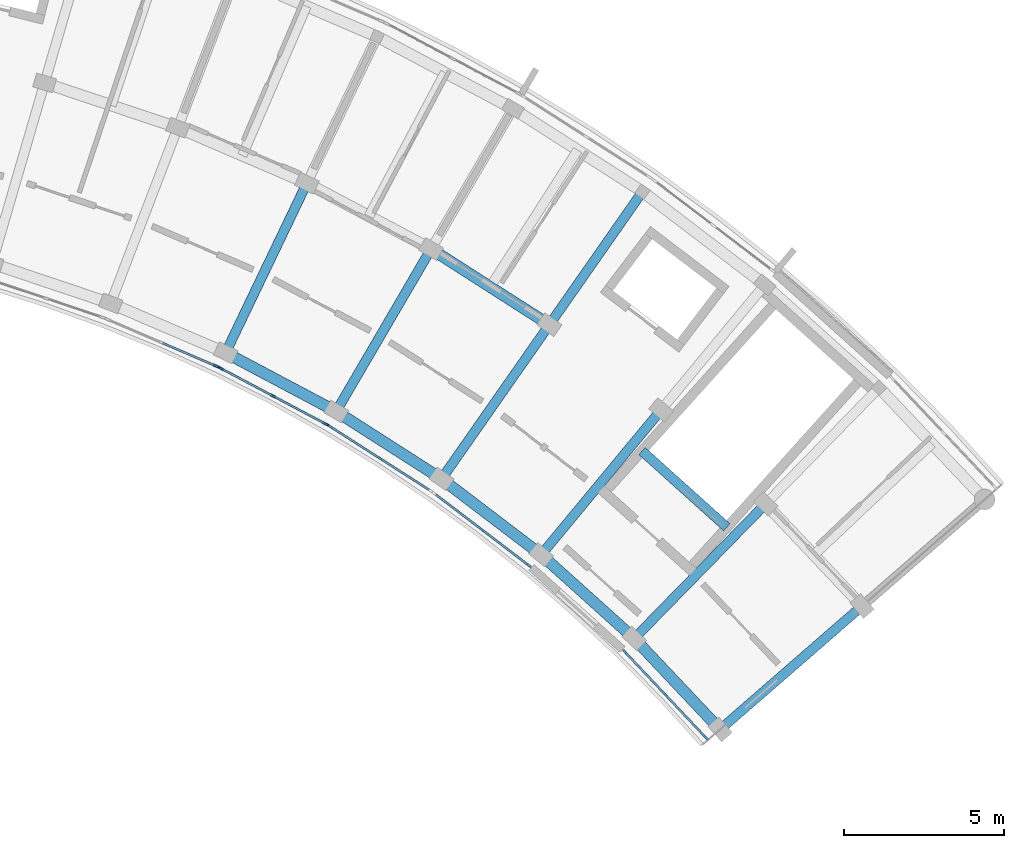
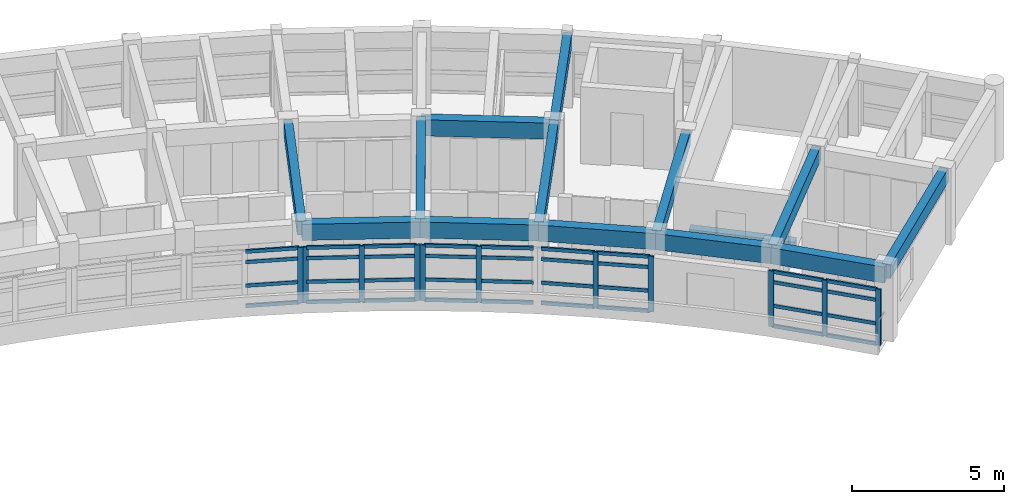
# One storey, part 7 of 23: 47 members, 14 beams, 5 elements without a shape of their own.
"""IFC4 building model written with IfcOpenShell, lengths in metres."""

from ifc_helpers import new_model, si_unit, direction, frame, origin, origin_2d, place, context, subcontext, project, spatial, rectangle, extrude, material, material_profile, profile_set, type_object, element, aggregate, save


model = new_model("IFC4")

# Units and contexts
model_context = context("Model", 3, precision=1e-05, world=origin(), true_north=direction((0.0, 1.0)))
body_context = subcontext(model_context, "Body", "Model", "MODEL_VIEW")
ifc_project = project(units=[si_unit("LENGTHUNIT", "METRE"), si_unit("AREAUNIT", "SQUARE_METRE"), si_unit("VOLUMEUNIT", "CUBIC_METRE"), si_unit("PLANEANGLEUNIT", "RADIAN"), si_unit("MASSUNIT", "GRAM", prefix="KILO")], contexts=[model_context])

# Site, building, storey
site_placement = place(None, origin())
site = spatial("IfcSite", under=ifc_project, at=site_placement, CompositionType="ELEMENT")
building_placement = place(site_placement, origin())
building = spatial("IfcBuilding", under=site, at=building_placement, Name="Zimvara Arc Housing Community", CompositionType="ELEMENT")
storey_placement = place(building_placement, frame((0.0, 0.0, 36.0)))
storey = spatial("IfcBuildingStorey", under=building, at=storey_placement, Name="L11", CompositionType="ELEMENT", Elevation=36.0)

# Beams
ifc_material_1 = material(Name="Concrete C40/50", Category="concrete")
ifc_material_profile_1 = material_profile(ifc_material_1, rectangle(XDim=0.300048828125, YDim=0.5, at=origin_2d()), Name="RC 300x500")
ifc_profile_set_1 = profile_set([ifc_material_profile_1], Name="Concrete C40/50")
beam_type_1 = type_object("IfcBeamType", Name="BM-RC-300x500", PredefinedType="BEAM", material=ifc_profile_set_1)
beam_1_placement = place(storey_placement, frame((81.375732421875, 82.259033203125, -0.25), z_axis=(-0.743362151162, 0.668889162881, 0.0), x_axis=(-0.668889162881, -0.743362151162, 0.0)))
element("IfcBeam", 1, at=beam_1_placement, inside=storey, type_object=beam_type_1, Name="bm:stair_trim:ST-B2:L11:near", PredefinedType="BEAM", context=body_context, shape_type="SweptSolid", body=[
    extrude(rectangle(XDim=0.300048828125, YDim=0.5, at=origin_2d()), origin(), (0.0, 0.0, 1.0), 3.570068359375),
])
ifc_material_2 = material(Name="Concrete C40/50", Category="concrete")
ifc_material_profile_2 = material_profile(ifc_material_2, rectangle(XDim=0.300048828125, YDim=0.550048828125, at=origin_2d()), Name="RC 300x550")
ifc_profile_set_2 = profile_set([ifc_material_profile_2], Name="Concrete C40/50")
beam_type_2 = type_object("IfcBeamType", Name="BM-RC-300x550", PredefinedType="BEAM", material=ifc_profile_set_2)
beam_2_placement = place(storey_placement, frame((65.70556640625, 87.7158203125, 2.64501953125), z_axis=(0.432069527705, 0.901840298073, 0.0), x_axis=(-0.901840298073, 0.432069527705, 0.0)))
element("IfcBeam", 2, at=beam_2_placement, inside=storey, type_object=beam_type_2, Name="bm:blkB:L11:rad:b5:r12", PredefinedType="BEAM", context=body_context, shape_type="SweptSolid", body=[
    extrude(rectangle(XDim=0.300048828125, YDim=0.550048828125, at=origin_2d()), origin(), (0.0, 0.0, 1.0), 5.8798828125),
])
beam_3_placement = place(storey_placement, frame((69.16259765625, 85.88232421875, 2.64501953125), z_axis=(0.504219494781, 0.863575532934, 0.0), x_axis=(-0.863575532934, 0.504219494781, 0.0)))
element("IfcBeam", 3, at=beam_3_placement, inside=storey, type_object=beam_type_2, Name="bm:blkB:L11:rad:b6:r12", PredefinedType="BEAM", context=body_context, shape_type="SweptSolid", body=[
    extrude(rectangle(XDim=0.300048828125, YDim=0.550048828125, at=origin_2d()), origin(), (0.0, 0.0, 1.0), 5.880126953125),
])
beam_4_placement = place(storey_placement, frame((72.458251953125, 83.77294921875, 2.64501953125), z_axis=(0.573027549978, 0.819536104736, 0.0), x_axis=(-0.819536104736, 0.573027549978, 0.0)))
element("IfcBeam", 4, at=beam_4_placement, inside=storey, type_object=beam_type_2, Name="bm:blkB:L11:rad:b7:r12", PredefinedType="BEAM", context=body_context, shape_type="SweptSolid", body=[
    extrude(rectangle(XDim=0.300048828125, YDim=0.550048828125, at=origin_2d()), origin(), (0.0, 0.0, 1.0), 5.8798828125),
])
beam_5_placement = place(storey_placement, frame((75.82763671875, 88.591796875, 2.64501953125), z_axis=(0.573007469479, 0.819550144848, 0.0), x_axis=(-0.819550144848, 0.573007469479, 0.0)))
element("IfcBeam", 5, at=beam_5_placement, inside=storey, type_object=beam_type_2, Name="bm:blkB:L11:rad:b7:r23", PredefinedType="BEAM", context=body_context, shape_type="SweptSolid", body=[
    extrude(rectangle(XDim=0.300048828125, YDim=0.550048828125, at=origin_2d()), origin(), (0.0, 0.0, 1.0), 5.080078125),
])
beam_6_placement = place(storey_placement, frame((75.571044921875, 81.401611328125, 2.64501953125), z_axis=(0.637955964415, 0.770072845559, 0.0), x_axis=(-0.770072845559, 0.637955964415, 0.0)))
element("IfcBeam", 6, at=beam_6_placement, inside=storey, type_object=beam_type_2, Name="bm:blkB:L11:rad:b8:r12", PredefinedType="BEAM", context=body_context, shape_type="SweptSolid", body=[
    extrude(rectangle(XDim=0.300048828125, YDim=0.550048828125, at=origin_2d()), origin(), (0.0, 0.0, 1.0), 5.880126953125),
])
for number, where, z_axis, x_axis, name in (
    (7, (78.47998046875, 78.784423828125, 2.64501953125), (0.698669844288, 0.715444231707, 0.0), (-0.715444231707, 0.698669844288, 0.0), "bm:blkB:L11:rad:b9:r12"),
    (8, (81.165771484375, 75.938232421875, 2.64501953125), (0.754692223258, 0.656078995362, 0.0), (-0.656078995362, 0.754692223258, 0.0), "bm:blkB:L11:rad:b10:r12"),
):
    element("IfcBeam", number, at=place(storey_placement, frame(where, z_axis=z_axis, x_axis=x_axis)), inside=storey, type_object=beam_type_2, Name=name, PredefinedType="BEAM", context=body_context, shape_type="SweptSolid", body=[
        extrude(rectangle(XDim=0.300048828125, YDim=0.550048828125, at=origin_2d()), origin(), (0.0, 0.0, 1.0), 5.8798828125),
    ])
ifc_material_3 = material(Name="Concrete C40/50", Category="concrete")
ifc_material_profile_3 = material_profile(ifc_material_3, rectangle(XDim=0.35009765625, YDim=0.64990234375, at=origin_2d()), Name="RC 350x650")
ifc_profile_set_3 = profile_set([ifc_material_profile_3], Name="Concrete C40/50")
beam_type_3 = type_object("IfcBeamType", Name="BM-RC-350x650", PredefinedType="BEAM", material=ifc_profile_set_3)
beam_7_placement = place(storey_placement, frame((65.70556640625, 87.7158203125, 2.594970703125), z_axis=(0.883438625159, -0.468546897948, 0.0), x_axis=(0.468546897948, 0.883438625159, 0.0)))
element("IfcBeam", 9, at=beam_7_placement, inside=storey, type_object=beam_type_3, Name="bm:blkB:L11:chord:r1:b5", PredefinedType="BEAM", context=body_context, shape_type="SweptSolid", body=[
    extrude(rectangle(XDim=0.35009765625, YDim=0.64990234375, at=origin_2d()), origin(), (0.0, 0.0, 1.0), 3.9130859375),
])
beam_8_placement = place(storey_placement, frame((69.16259765625, 85.88232421875, 2.594970703125), z_axis=(0.842253269878, -0.539082024724, 0.0), x_axis=(0.539082024724, 0.842253269878, 0.0)))
element("IfcBeam", 10, at=beam_8_placement, inside=storey, type_object=beam_type_3, Name="bm:blkB:L11:chord:r1:b6", PredefinedType="BEAM", context=body_context, shape_type="SweptSolid", body=[
    extrude(rectangle(XDim=0.35009765625, YDim=0.64990234375, at=origin_2d()), origin(), (0.0, 0.0, 1.0), 3.912841796875),
])
for number, where, z_axis, x_axis, name in (
    (11, (72.458251953125, 83.77294921875, 2.594970703125), (0.795470387579, -0.605992460749, 0.0), (0.605992460749, 0.795470387579, 0.0), "bm:blkB:L11:chord:r1:b7"),
    (12, (75.571044921875, 81.401611328125, 2.594970703125), (0.743402719516, -0.668844074965, 0.0), (0.668844074965, 0.743402719516, 0.0), "bm:blkB:L11:chord:r1:b8"),
):
    element("IfcBeam", number, at=place(storey_placement, frame(where, z_axis=z_axis, x_axis=x_axis)), inside=storey, type_object=beam_type_3, Name=name, PredefinedType="BEAM", context=body_context, shape_type="SweptSolid", body=[
        extrude(rectangle(XDim=0.35009765625, YDim=0.64990234375, at=origin_2d()), origin(), (0.0, 0.0, 1.0), 3.9130859375),
    ])
beam_9_placement = place(storey_placement, frame((78.47998046875, 78.784423828125, 2.594970703125), z_axis=(0.686315710793, -0.727303750243, 0.0), x_axis=(0.727303750243, 0.686315710793, 0.0)))
element("IfcBeam", 13, at=beam_9_placement, inside=storey, type_object=beam_type_3, Name="bm:blkB:L11:chord:r1:b9", PredefinedType="BEAM", context=body_context, shape_type="SweptSolid", body=[
    extrude(rectangle(XDim=0.35009765625, YDim=0.64990234375, at=origin_2d()), origin(), (0.0, 0.0, 1.0), 3.913330078125),
])
beam_10_placement = place(storey_placement, frame((72.12744140625, 90.960205078125, 2.594970703125), z_axis=(0.842242131326, -0.539099427025, 0.0), x_axis=(0.539099427025, 0.842242131326, 0.0)))
element("IfcBeam", 14, at=beam_10_placement, inside=storey, type_object=beam_type_3, Name="bm:blkB:L11:chord:r2:b6", PredefinedType="BEAM", context=body_context, shape_type="SweptSolid", body=[
    extrude(rectangle(XDim=0.35009765625, YDim=0.64990234375, at=origin_2d()), origin(), (0.0, 0.0, 1.0), 4.393310546875),
])

# Curtain wall, member
ifc_material_4 = material(Name="Anodised Aluminium AW-6063", Category="aluminium")
curtain_wall_type_1 = type_object("IfcCurtainWallType", Name="CW-SYS-04", PredefinedType="USERDEFINED", material=ifc_material_4)
curtain_wall_1_placement = place(storey_placement, origin())
curtain_wall_1 = element("IfcCurtainWall", 15, at=curtain_wall_1_placement, inside=storey, type_object=curtain_wall_type_1, Name="cw:blkB:L11:in:b4", ObjectType="CURTAIN WALL", PredefinedType="USERDEFINED")
ifc_material_5 = material(Name="Anodised Aluminium AW-6063", Category="aluminium")
ifc_material_profile_4 = material_profile(ifc_material_5, rectangle(XDim=0.06494140625, YDim=0.179931640625, at=origin_2d()), Name="ALU 65x180")
ifc_profile_set_4 = profile_set([ifc_material_profile_4], Name="Anodised Aluminium AW-6063")
member_type_1 = type_object("IfcMemberType", Name="CWM-65x150", PredefinedType="MULLION", material=ifc_profile_set_4)
member_1_placement = place(storey_placement, frame((65.404541015625, 87.301513671875, 0.0), z_axis=(0.0, 0.0, 1.0), x_axis=(0.394903951674, 0.918722411261, 0.0)))
member_1 = element("IfcMember", 16, at=member_1_placement, type_object=member_type_1, Name="CW04 mullion 3", PredefinedType="MULLION", context=body_context, shape_type="SweptSolid", body=[
    extrude(rectangle(XDim=0.06494140625, YDim=0.179931640625, at=origin_2d()), origin(), (0.0, 0.0, 1.0), 2.25),
])

# Curtain wall, members
ifc_material_6 = material(Name="Anodised Aluminium AW-6063", Category="aluminium")
curtain_wall_type_2 = type_object("IfcCurtainWallType", Name="CW-SYS-06", PredefinedType="USERDEFINED", material=ifc_material_6)
curtain_wall_2_placement = place(storey_placement, origin())
curtain_wall_2 = element("IfcCurtainWall", 17, at=curtain_wall_2_placement, inside=storey, type_object=curtain_wall_type_2, Name="cw:blkB:L11:in:b5", ObjectType="CURTAIN WALL", PredefinedType="USERDEFINED")
member_2_placement = place(storey_placement, frame((65.5712890625, 87.2216796875, 0.0), z_axis=(0.0, 0.0, 1.0), x_axis=(0.468547099195, 0.883438518424, 0.0)))
member_2 = element("IfcMember", 18, at=member_2_placement, type_object=member_type_1, Name="CW06 mullion 1", PredefinedType="MULLION", context=body_context, shape_type="SweptSolid", body=[
    extrude(rectangle(XDim=0.06494140625, YDim=0.179931640625, at=origin_2d()), origin(), (0.0, 0.0, 1.0), 2.25),
])
member_3_placement = place(storey_placement, frame((67.199951171875, 86.357666015625, 0.0), z_axis=(0.0, 0.0, 1.0), x_axis=(0.468547099195, 0.883438518424, 0.0)))
member_3 = element("IfcMember", 19, at=member_3_placement, type_object=member_type_1, Name="CW06 mullion 2", PredefinedType="MULLION", context=body_context, shape_type="SweptSolid", body=[
    extrude(rectangle(XDim=0.06494140625, YDim=0.179931640625, at=origin_2d()), origin(), (0.0, 0.0, 1.0), 2.25),
])
member_4_placement = place(storey_placement, frame((68.82861328125, 85.493896484375, 0.0), z_axis=(0.0, 0.0, 1.0), x_axis=(0.468547099195, 0.883438518424, 0.0)))
member_4 = element("IfcMember", 20, at=member_4_placement, type_object=member_type_1, Name="CW06 mullion 3", PredefinedType="MULLION", context=body_context, shape_type="SweptSolid", body=[
    extrude(rectangle(XDim=0.06494140625, YDim=0.179931640625, at=origin_2d()), origin(), (0.0, 0.0, 1.0), 2.25),
])

ifc_material_7 = material(Name="Anodised Aluminium AW-6063", Category="aluminium")
curtain_wall_type_3 = type_object("IfcCurtainWallType", Name="CW-SYS-08", PredefinedType="USERDEFINED", material=ifc_material_7)
curtain_wall_3_placement = place(storey_placement, origin())
curtain_wall_3 = element("IfcCurtainWall", 21, at=curtain_wall_3_placement, inside=storey, type_object=curtain_wall_type_3, Name="cw:blkB:L11:in:b6", ObjectType="CURTAIN WALL", PredefinedType="USERDEFINED")
member_5_placement = place(storey_placement, frame((68.98828125, 85.400634765625, 0.0), z_axis=(0.0, 0.0, 1.0), x_axis=(0.539065115913, 0.842264092079, 0.0)))
member_5 = element("IfcMember", 22, at=member_5_placement, type_object=member_type_1, Name="CW08 mullion 1", PredefinedType="MULLION", context=body_context, shape_type="SweptSolid", body=[
    extrude(rectangle(XDim=0.06494140625, YDim=0.179931640625, at=origin_2d()), origin(), (0.0, 0.0, 1.0), 2.25),
])
member_6_placement = place(storey_placement, frame((70.541015625, 84.406982421875, 0.0), z_axis=(0.0, 0.0, 1.0), x_axis=(0.539065115913, 0.842264092079, 0.0)))
member_6 = element("IfcMember", 23, at=member_6_placement, type_object=member_type_1, Name="CW08 mullion 2", PredefinedType="MULLION", context=body_context, shape_type="SweptSolid", body=[
    extrude(rectangle(XDim=0.06494140625, YDim=0.179931640625, at=origin_2d()), origin(), (0.0, 0.0, 1.0), 2.25),
])

ifc_material_8 = material(Name="Anodised Aluminium AW-6063", Category="aluminium")
curtain_wall_type_4 = type_object("IfcCurtainWallType", Name="CW-SYS-02", PredefinedType="USERDEFINED", material=ifc_material_8)
curtain_wall_4_placement = place(storey_placement, origin())
curtain_wall_4 = element("IfcCurtainWall", 24, at=curtain_wall_4_placement, inside=storey, type_object=curtain_wall_type_4, Name="cw:blkB:L11:in:b7", ObjectType="CURTAIN WALL", PredefinedType="USERDEFINED")
member_7_placement = place(storey_placement, frame((73.7119140625, 82.18994140625, 0.0), z_axis=(0.0, 0.0, 1.0), x_axis=(0.605987809503, 0.795473930895, 0.0)))
member_7 = element("IfcMember", 25, at=member_7_placement, type_object=member_type_1, Name="CW02 mullion 2", PredefinedType="MULLION", context=body_context, shape_type="SweptSolid", body=[
    extrude(rectangle(XDim=0.06494140625, YDim=0.179931640625, at=origin_2d()), origin(), (0.0, 0.0, 1.0), 2.25),
])
member_8_placement = place(storey_placement, frame((75.178466796875, 81.07275390625, 0.0), z_axis=(0.0, 0.0, 1.0), x_axis=(0.605987809503, 0.795473930895, 0.0)))
member_8 = element("IfcMember", 26, at=member_8_placement, type_object=member_type_1, Name="CW02 mullion 3", PredefinedType="MULLION", context=body_context, shape_type="SweptSolid", body=[
    extrude(rectangle(XDim=0.06494140625, YDim=0.179931640625, at=origin_2d()), origin(), (0.0, 0.0, 1.0), 2.25),
])

curtain_wall_5_placement = place(storey_placement, origin())
curtain_wall_5 = element("IfcCurtainWall", 27, at=curtain_wall_5_placement, inside=storey, type_object=curtain_wall_type_1, Name="cw:blkB:L11:in:b9", ObjectType="CURTAIN WALL", PredefinedType="USERDEFINED")
member_9_placement = place(storey_placement, frame((78.194091796875, 78.359375, 0.0), z_axis=(0.0, 0.0, 1.0), x_axis=(0.727293723669, 0.686326336018, 0.0)))
member_9 = element("IfcMember", 28, at=member_9_placement, type_object=member_type_1, Name="CW04 mullion 1", PredefinedType="MULLION", context=body_context, shape_type="SweptSolid", body=[
    extrude(rectangle(XDim=0.06494140625, YDim=0.179931640625, at=origin_2d()), origin(), (0.0, 0.0, 1.0), 2.25),
])
member_10_placement = place(storey_placement, frame((79.45947265625, 77.0185546875, 0.0), z_axis=(0.0, 0.0, 1.0), x_axis=(0.727293723669, 0.686326336018, 0.0)))
member_10 = element("IfcMember", 29, at=member_10_placement, type_object=member_type_1, Name="CW04 mullion 2", PredefinedType="MULLION", context=body_context, shape_type="SweptSolid", body=[
    extrude(rectangle(XDim=0.06494140625, YDim=0.179931640625, at=origin_2d()), origin(), (0.0, 0.0, 1.0), 2.25),
])
member_11_placement = place(storey_placement, frame((80.724853515625, 75.677490234375, 0.0), z_axis=(0.0, 0.0, 1.0), x_axis=(0.727293723669, 0.686326336018, 0.0)))
member_11 = element("IfcMember", 30, at=member_11_placement, type_object=member_type_1, Name="CW04 mullion 3", PredefinedType="MULLION", context=body_context, shape_type="SweptSolid", body=[
    extrude(rectangle(XDim=0.06494140625, YDim=0.179931640625, at=origin_2d()), origin(), (0.0, 0.0, 1.0), 2.25),
])

# Member
ifc_material_9 = material(Name="Anodised Aluminium AW-6063", Category="aluminium")
ifc_material_profile_5 = material_profile(ifc_material_9, rectangle(XDim=0.06494140625, YDim=0.139892578125, at=origin_2d()), Name="ALU 65x140")
ifc_profile_set_5 = profile_set([ifc_material_profile_5], Name="Anodised Aluminium AW-6063")
member_type_2 = type_object("IfcMemberType", Name="CWT-65x120", PredefinedType="USERDEFINED", material=ifc_profile_set_5)
member_12_placement = place(storey_placement, frame((63.740478515625, 88.0166015625, 0.032470703125), z_axis=(0.918739899324, -0.39486326417, 0.0), x_axis=(0.39486326417, 0.918739899324, 0.0)))
member_12 = element("IfcMember", 31, at=member_12_placement, type_object=member_type_2, Name="CW04 transom 2.1", ObjectType="TRANSOM", PredefinedType="USERDEFINED", context=body_context, shape_type="SweptSolid", body=[
    extrude(rectangle(XDim=0.06494140625, YDim=0.139892578125, at=origin_2d()), origin(), (0.0, 0.0, 1.0), 1.77880859375),
])

member_13_placement = place(storey_placement, frame((63.740478515625, 88.0166015625, 0.85009765625), z_axis=(0.918739899324, -0.39486326417, 0.0), x_axis=(0.39486326417, 0.918739899324, 0.0)))
member_13 = element("IfcMember", 32, at=member_13_placement, type_object=member_type_2, Name="CW04 transom 2.2", ObjectType="TRANSOM", PredefinedType="USERDEFINED", context=body_context, shape_type="SweptSolid", body=[
    extrude(rectangle(XDim=0.06494140625, YDim=0.139892578125, at=origin_2d()), origin(), (0.0, 0.0, 1.0), 1.77880859375),
])

member_14_placement = place(storey_placement, frame((63.740478515625, 88.0166015625, 1.800048828125), z_axis=(0.918739899324, -0.39486326417, 0.0), x_axis=(0.39486326417, 0.918739899324, 0.0)))
member_14 = element("IfcMember", 33, at=member_14_placement, type_object=member_type_2, Name="CW04 transom 2.3", ObjectType="TRANSOM", PredefinedType="USERDEFINED", context=body_context, shape_type="SweptSolid", body=[
    extrude(rectangle(XDim=0.06494140625, YDim=0.139892578125, at=origin_2d()), origin(), (0.0, 0.0, 1.0), 1.77880859375),
])

member_15_placement = place(storey_placement, frame((63.740478515625, 88.0166015625, 2.217529296875), z_axis=(0.918739899324, -0.39486326417, 0.0), x_axis=(0.39486326417, 0.918739899324, 0.0)))
member_15 = element("IfcMember", 34, at=member_15_placement, type_object=member_type_2, Name="CW04 transom 2.4", ObjectType="TRANSOM", PredefinedType="USERDEFINED", context=body_context, shape_type="SweptSolid", body=[
    extrude(rectangle(XDim=0.06494140625, YDim=0.139892578125, at=origin_2d()), origin(), (0.0, 0.0, 1.0), 1.77880859375),
])

aggregate(curtain_wall_1, [member_1, member_12, member_13, member_14, member_15])

member_16_placement = place(storey_placement, frame((65.599853515625, 87.206298828125, 0.032470703125), z_axis=(0.883463823767, -0.468499383238, 0.0), x_axis=(0.468499383238, 0.883463823767, 0.0)))
member_16 = element("IfcMember", 35, at=member_16_placement, type_object=member_type_2, Name="CW06 transom 1.1", ObjectType="TRANSOM", PredefinedType="USERDEFINED", context=body_context, shape_type="SweptSolid", body=[
    extrude(rectangle(XDim=0.06494140625, YDim=0.139892578125, at=origin_2d()), origin(), (0.0, 0.0, 1.0), 1.778564453125),
])

member_17_placement = place(storey_placement, frame((65.599853515625, 87.206298828125, 0.85009765625), z_axis=(0.883463823767, -0.468499383238, 0.0), x_axis=(0.468499383238, 0.883463823767, 0.0)))
member_17 = element("IfcMember", 36, at=member_17_placement, type_object=member_type_2, Name="CW06 transom 1.2", ObjectType="TRANSOM", PredefinedType="USERDEFINED", context=body_context, shape_type="SweptSolid", body=[
    extrude(rectangle(XDim=0.06494140625, YDim=0.139892578125, at=origin_2d()), origin(), (0.0, 0.0, 1.0), 1.778564453125),
])

member_18_placement = place(storey_placement, frame((65.599853515625, 87.206298828125, 1.800048828125), z_axis=(0.883463823767, -0.468499383238, 0.0), x_axis=(0.468499383238, 0.883463823767, 0.0)))
member_18 = element("IfcMember", 37, at=member_18_placement, type_object=member_type_2, Name="CW06 transom 1.3", ObjectType="TRANSOM", PredefinedType="USERDEFINED", context=body_context, shape_type="SweptSolid", body=[
    extrude(rectangle(XDim=0.06494140625, YDim=0.139892578125, at=origin_2d()), origin(), (0.0, 0.0, 1.0), 1.778564453125),
])

member_19_placement = place(storey_placement, frame((65.599853515625, 87.206298828125, 2.217529296875), z_axis=(0.883463823767, -0.468499383238, 0.0), x_axis=(0.468499383238, 0.883463823767, 0.0)))
member_19 = element("IfcMember", 38, at=member_19_placement, type_object=member_type_2, Name="CW06 transom 1.4", ObjectType="TRANSOM", PredefinedType="USERDEFINED", context=body_context, shape_type="SweptSolid", body=[
    extrude(rectangle(XDim=0.06494140625, YDim=0.139892578125, at=origin_2d()), origin(), (0.0, 0.0, 1.0), 1.778564453125),
])

member_20_placement = place(storey_placement, frame((67.228759765625, 86.342529296875, 0.032470703125), z_axis=(0.883407004942, -0.468606512566, 0.0), x_axis=(0.468606512566, 0.883407004942, 0.0)))
member_20 = element("IfcMember", 39, at=member_20_placement, type_object=member_type_2, Name="CW06 transom 2.1", ObjectType="TRANSOM", PredefinedType="USERDEFINED", context=body_context, shape_type="SweptSolid", body=[
    extrude(rectangle(XDim=0.06494140625, YDim=0.139892578125, at=origin_2d()), origin(), (0.0, 0.0, 1.0), 1.778564453125),
])

member_21_placement = place(storey_placement, frame((67.228759765625, 86.342529296875, 0.85009765625), z_axis=(0.883407004942, -0.468606512566, 0.0), x_axis=(0.468606512566, 0.883407004942, 0.0)))
member_21 = element("IfcMember", 40, at=member_21_placement, type_object=member_type_2, Name="CW06 transom 2.2", ObjectType="TRANSOM", PredefinedType="USERDEFINED", context=body_context, shape_type="SweptSolid", body=[
    extrude(rectangle(XDim=0.06494140625, YDim=0.139892578125, at=origin_2d()), origin(), (0.0, 0.0, 1.0), 1.778564453125),
])

member_22_placement = place(storey_placement, frame((67.228759765625, 86.342529296875, 1.800048828125), z_axis=(0.883407004942, -0.468606512566, 0.0), x_axis=(0.468606512566, 0.883407004942, 0.0)))
member_22 = element("IfcMember", 41, at=member_22_placement, type_object=member_type_2, Name="CW06 transom 2.3", ObjectType="TRANSOM", PredefinedType="USERDEFINED", context=body_context, shape_type="SweptSolid", body=[
    extrude(rectangle(XDim=0.06494140625, YDim=0.139892578125, at=origin_2d()), origin(), (0.0, 0.0, 1.0), 1.778564453125),
])

member_23_placement = place(storey_placement, frame((67.228759765625, 86.342529296875, 2.217529296875), z_axis=(0.883407004942, -0.468606512566, 0.0), x_axis=(0.468606512566, 0.883407004942, 0.0)))
member_23 = element("IfcMember", 42, at=member_23_placement, type_object=member_type_2, Name="CW06 transom 2.4", ObjectType="TRANSOM", PredefinedType="USERDEFINED", context=body_context, shape_type="SweptSolid", body=[
    extrude(rectangle(XDim=0.06494140625, YDim=0.139892578125, at=origin_2d()), origin(), (0.0, 0.0, 1.0), 1.778564453125),
])

aggregate(curtain_wall_2, [member_2, member_3, member_4, member_16, member_17, member_18, member_19, member_20, member_21, member_22, member_23])

member_24_placement = place(storey_placement, frame((69.015625, 85.38330078125, 0.032470703125), z_axis=(0.842211569309, -0.539147171487, 0.0), x_axis=(0.539147171487, 0.842211569309, 0.0)))
member_24 = element("IfcMember", 43, at=member_24_placement, type_object=member_type_2, Name="CW08 transom 1.1", ObjectType="TRANSOM", PredefinedType="USERDEFINED", context=body_context, shape_type="SweptSolid", body=[
    extrude(rectangle(XDim=0.06494140625, YDim=0.139892578125, at=origin_2d()), origin(), (0.0, 0.0, 1.0), 1.77880859375),
])

member_25_placement = place(storey_placement, frame((69.015625, 85.38330078125, 0.85009765625), z_axis=(0.842211569309, -0.539147171487, 0.0), x_axis=(0.539147171487, 0.842211569309, 0.0)))
member_25 = element("IfcMember", 44, at=member_25_placement, type_object=member_type_2, Name="CW08 transom 1.2", ObjectType="TRANSOM", PredefinedType="USERDEFINED", context=body_context, shape_type="SweptSolid", body=[
    extrude(rectangle(XDim=0.06494140625, YDim=0.139892578125, at=origin_2d()), origin(), (0.0, 0.0, 1.0), 1.77880859375),
])

member_26_placement = place(storey_placement, frame((69.015625, 85.38330078125, 1.800048828125), z_axis=(0.842211569309, -0.539147171487, 0.0), x_axis=(0.539147171487, 0.842211569309, 0.0)))
member_26 = element("IfcMember", 45, at=member_26_placement, type_object=member_type_2, Name="CW08 transom 1.3", ObjectType="TRANSOM", PredefinedType="USERDEFINED", context=body_context, shape_type="SweptSolid", body=[
    extrude(rectangle(XDim=0.06494140625, YDim=0.139892578125, at=origin_2d()), origin(), (0.0, 0.0, 1.0), 1.77880859375),
])

member_27_placement = place(storey_placement, frame((69.015625, 85.38330078125, 2.217529296875), z_axis=(0.842211569309, -0.539147171487, 0.0), x_axis=(0.539147171487, 0.842211569309, 0.0)))
member_27 = element("IfcMember", 46, at=member_27_placement, type_object=member_type_2, Name="CW08 transom 1.4", ObjectType="TRANSOM", PredefinedType="USERDEFINED", context=body_context, shape_type="SweptSolid", body=[
    extrude(rectangle(XDim=0.06494140625, YDim=0.139892578125, at=origin_2d()), origin(), (0.0, 0.0, 1.0), 1.77880859375),
])

member_28_placement = place(storey_placement, frame((70.568603515625, 84.389404296875, 0.032470703125), z_axis=(0.842273893594, -0.539049801197, 0.0), x_axis=(0.539049801197, 0.842273893594, 0.0)))
member_28 = element("IfcMember", 47, at=member_28_placement, type_object=member_type_2, Name="CW08 transom 2.1", ObjectType="TRANSOM", PredefinedType="USERDEFINED", context=body_context, shape_type="SweptSolid", body=[
    extrude(rectangle(XDim=0.06494140625, YDim=0.139892578125, at=origin_2d()), origin(), (0.0, 0.0, 1.0), 1.778564453125),
])

member_29_placement = place(storey_placement, frame((70.568603515625, 84.389404296875, 0.85009765625), z_axis=(0.842273893594, -0.539049801197, 0.0), x_axis=(0.539049801197, 0.842273893594, 0.0)))
member_29 = element("IfcMember", 48, at=member_29_placement, type_object=member_type_2, Name="CW08 transom 2.2", ObjectType="TRANSOM", PredefinedType="USERDEFINED", context=body_context, shape_type="SweptSolid", body=[
    extrude(rectangle(XDim=0.06494140625, YDim=0.139892578125, at=origin_2d()), origin(), (0.0, 0.0, 1.0), 1.778564453125),
])

member_30_placement = place(storey_placement, frame((70.568603515625, 84.389404296875, 1.800048828125), z_axis=(0.842273893594, -0.539049801197, 0.0), x_axis=(0.539049801197, 0.842273893594, 0.0)))
member_30 = element("IfcMember", 49, at=member_30_placement, type_object=member_type_2, Name="CW08 transom 2.3", ObjectType="TRANSOM", PredefinedType="USERDEFINED", context=body_context, shape_type="SweptSolid", body=[
    extrude(rectangle(XDim=0.06494140625, YDim=0.139892578125, at=origin_2d()), origin(), (0.0, 0.0, 1.0), 1.778564453125),
])

member_31_placement = place(storey_placement, frame((70.568603515625, 84.389404296875, 2.217529296875), z_axis=(0.842273893594, -0.539049801197, 0.0), x_axis=(0.539049801197, 0.842273893594, 0.0)))
member_31 = element("IfcMember", 50, at=member_31_placement, type_object=member_type_2, Name="CW08 transom 2.4", ObjectType="TRANSOM", PredefinedType="USERDEFINED", context=body_context, shape_type="SweptSolid", body=[
    extrude(rectangle(XDim=0.06494140625, YDim=0.139892578125, at=origin_2d()), origin(), (0.0, 0.0, 1.0), 1.778564453125),
])

aggregate(curtain_wall_3, [member_5, member_6, member_24, member_25, member_26, member_27, member_28, member_29, member_30, member_31])

member_32_placement = place(storey_placement, frame((72.271240234375, 83.287353515625, 0.032470703125), z_axis=(0.79544747465, -0.60602253677, 0.0), x_axis=(0.60602253677, 0.79544747465, 0.0)))
member_32 = element("IfcMember", 51, at=member_32_placement, type_object=member_type_2, Name="CW02 transom 1.1", ObjectType="TRANSOM", PredefinedType="USERDEFINED", context=body_context, shape_type="SweptSolid", body=[
    extrude(rectangle(XDim=0.06494140625, YDim=0.139892578125, at=origin_2d()), origin(), (0.0, 0.0, 1.0), 1.778564453125),
])

member_33_placement = place(storey_placement, frame((72.271240234375, 83.287353515625, 0.85009765625), z_axis=(0.79544747465, -0.60602253677, 0.0), x_axis=(0.60602253677, 0.79544747465, 0.0)))
member_33 = element("IfcMember", 52, at=member_33_placement, type_object=member_type_2, Name="CW02 transom 1.2", ObjectType="TRANSOM", PredefinedType="USERDEFINED", context=body_context, shape_type="SweptSolid", body=[
    extrude(rectangle(XDim=0.06494140625, YDim=0.139892578125, at=origin_2d()), origin(), (0.0, 0.0, 1.0), 1.778564453125),
])

member_34_placement = place(storey_placement, frame((72.271240234375, 83.287353515625, 1.800048828125), z_axis=(0.79544747465, -0.60602253677, 0.0), x_axis=(0.60602253677, 0.79544747465, 0.0)))
member_34 = element("IfcMember", 53, at=member_34_placement, type_object=member_type_2, Name="CW02 transom 1.3", ObjectType="TRANSOM", PredefinedType="USERDEFINED", context=body_context, shape_type="SweptSolid", body=[
    extrude(rectangle(XDim=0.06494140625, YDim=0.139892578125, at=origin_2d()), origin(), (0.0, 0.0, 1.0), 1.778564453125),
])

member_35_placement = place(storey_placement, frame((72.271240234375, 83.287353515625, 2.217529296875), z_axis=(0.79544747465, -0.60602253677, 0.0), x_axis=(0.60602253677, 0.79544747465, 0.0)))
member_35 = element("IfcMember", 54, at=member_35_placement, type_object=member_type_2, Name="CW02 transom 1.4", ObjectType="TRANSOM", PredefinedType="USERDEFINED", context=body_context, shape_type="SweptSolid", body=[
    extrude(rectangle(XDim=0.06494140625, YDim=0.139892578125, at=origin_2d()), origin(), (0.0, 0.0, 1.0), 1.778564453125),
])

member_36_placement = place(storey_placement, frame((73.73779296875, 82.170166015625, 0.032470703125), z_axis=(0.795497878591, -0.605956372322, 0.0), x_axis=(0.605956372322, 0.795497878591, 0.0)))
member_36 = element("IfcMember", 55, at=member_36_placement, type_object=member_type_2, Name="CW02 transom 2.1", ObjectType="TRANSOM", PredefinedType="USERDEFINED", context=body_context, shape_type="SweptSolid", body=[
    extrude(rectangle(XDim=0.06494140625, YDim=0.139892578125, at=origin_2d()), origin(), (0.0, 0.0, 1.0), 1.77880859375),
])

member_37_placement = place(storey_placement, frame((73.73779296875, 82.170166015625, 0.85009765625), z_axis=(0.795497878591, -0.605956372322, 0.0), x_axis=(0.605956372322, 0.795497878591, 0.0)))
member_37 = element("IfcMember", 56, at=member_37_placement, type_object=member_type_2, Name="CW02 transom 2.2", ObjectType="TRANSOM", PredefinedType="USERDEFINED", context=body_context, shape_type="SweptSolid", body=[
    extrude(rectangle(XDim=0.06494140625, YDim=0.139892578125, at=origin_2d()), origin(), (0.0, 0.0, 1.0), 1.77880859375),
])

member_38_placement = place(storey_placement, frame((73.73779296875, 82.170166015625, 1.800048828125), z_axis=(0.795497878591, -0.605956372322, 0.0), x_axis=(0.605956372322, 0.795497878591, 0.0)))
member_38 = element("IfcMember", 57, at=member_38_placement, type_object=member_type_2, Name="CW02 transom 2.3", ObjectType="TRANSOM", PredefinedType="USERDEFINED", context=body_context, shape_type="SweptSolid", body=[
    extrude(rectangle(XDim=0.06494140625, YDim=0.139892578125, at=origin_2d()), origin(), (0.0, 0.0, 1.0), 1.77880859375),
])

member_39_placement = place(storey_placement, frame((73.73779296875, 82.170166015625, 2.217529296875), z_axis=(0.795497878591, -0.605956372322, 0.0), x_axis=(0.605956372322, 0.795497878591, 0.0)))
member_39 = element("IfcMember", 58, at=member_39_placement, type_object=member_type_2, Name="CW02 transom 2.4", ObjectType="TRANSOM", PredefinedType="USERDEFINED", context=body_context, shape_type="SweptSolid", body=[
    extrude(rectangle(XDim=0.06494140625, YDim=0.139892578125, at=origin_2d()), origin(), (0.0, 0.0, 1.0), 1.77880859375),
])

aggregate(curtain_wall_4, [member_7, member_8, member_32, member_33, member_34, member_35, member_36, member_37, member_38, member_39])

member_40_placement = place(storey_placement, frame((78.216552734375, 78.335693359375, 0.032470703125), z_axis=(0.686288936403, -0.7273290148, 0.0), x_axis=(0.7273290148, 0.686288936403, 0.0)))
member_40 = element("IfcMember", 59, at=member_40_placement, type_object=member_type_2, Name="CW04 transom 1.1", ObjectType="TRANSOM", PredefinedType="USERDEFINED", context=body_context, shape_type="SweptSolid", body=[
    extrude(rectangle(XDim=0.06494140625, YDim=0.139892578125, at=origin_2d()), origin(), (0.0, 0.0, 1.0), 1.77880859375),
])

member_41_placement = place(storey_placement, frame((78.216552734375, 78.335693359375, 0.85009765625), z_axis=(0.686288936403, -0.7273290148, 0.0), x_axis=(0.7273290148, 0.686288936403, 0.0)))
member_41 = element("IfcMember", 60, at=member_41_placement, type_object=member_type_2, Name="CW04 transom 1.2", ObjectType="TRANSOM", PredefinedType="USERDEFINED", context=body_context, shape_type="SweptSolid", body=[
    extrude(rectangle(XDim=0.06494140625, YDim=0.139892578125, at=origin_2d()), origin(), (0.0, 0.0, 1.0), 1.77880859375),
])

member_42_placement = place(storey_placement, frame((78.216552734375, 78.335693359375, 1.800048828125), z_axis=(0.686288936403, -0.7273290148, 0.0), x_axis=(0.7273290148, 0.686288936403, 0.0)))
member_42 = element("IfcMember", 61, at=member_42_placement, type_object=member_type_2, Name="CW04 transom 1.3", ObjectType="TRANSOM", PredefinedType="USERDEFINED", context=body_context, shape_type="SweptSolid", body=[
    extrude(rectangle(XDim=0.06494140625, YDim=0.139892578125, at=origin_2d()), origin(), (0.0, 0.0, 1.0), 1.77880859375),
])

member_43_placement = place(storey_placement, frame((78.216552734375, 78.335693359375, 2.217529296875), z_axis=(0.686288936403, -0.7273290148, 0.0), x_axis=(0.7273290148, 0.686288936403, 0.0)))
member_43 = element("IfcMember", 62, at=member_43_placement, type_object=member_type_2, Name="CW04 transom 1.4", ObjectType="TRANSOM", PredefinedType="USERDEFINED", context=body_context, shape_type="SweptSolid", body=[
    extrude(rectangle(XDim=0.06494140625, YDim=0.139892578125, at=origin_2d()), origin(), (0.0, 0.0, 1.0), 1.77880859375),
])

member_44_placement = place(storey_placement, frame((79.48193359375, 76.994873046875, 0.032470703125), z_axis=(0.686288936403, -0.7273290148, 0.0), x_axis=(0.7273290148, 0.686288936403, 0.0)))
member_44 = element("IfcMember", 63, at=member_44_placement, type_object=member_type_2, Name="CW04 transom 2.1", ObjectType="TRANSOM", PredefinedType="USERDEFINED", context=body_context, shape_type="SweptSolid", body=[
    extrude(rectangle(XDim=0.06494140625, YDim=0.139892578125, at=origin_2d()), origin(), (0.0, 0.0, 1.0), 1.77880859375),
])

member_45_placement = place(storey_placement, frame((79.48193359375, 76.994873046875, 0.85009765625), z_axis=(0.686288936403, -0.7273290148, 0.0), x_axis=(0.7273290148, 0.686288936403, 0.0)))
member_45 = element("IfcMember", 64, at=member_45_placement, type_object=member_type_2, Name="CW04 transom 2.2", ObjectType="TRANSOM", PredefinedType="USERDEFINED", context=body_context, shape_type="SweptSolid", body=[
    extrude(rectangle(XDim=0.06494140625, YDim=0.139892578125, at=origin_2d()), origin(), (0.0, 0.0, 1.0), 1.77880859375),
])

member_46_placement = place(storey_placement, frame((79.48193359375, 76.994873046875, 1.800048828125), z_axis=(0.686288936403, -0.7273290148, 0.0), x_axis=(0.7273290148, 0.686288936403, 0.0)))
member_46 = element("IfcMember", 65, at=member_46_placement, type_object=member_type_2, Name="CW04 transom 2.3", ObjectType="TRANSOM", PredefinedType="USERDEFINED", context=body_context, shape_type="SweptSolid", body=[
    extrude(rectangle(XDim=0.06494140625, YDim=0.139892578125, at=origin_2d()), origin(), (0.0, 0.0, 1.0), 1.77880859375),
])

member_47_placement = place(storey_placement, frame((79.48193359375, 76.994873046875, 2.217529296875), z_axis=(0.686288936403, -0.7273290148, 0.0), x_axis=(0.7273290148, 0.686288936403, 0.0)))
member_47 = element("IfcMember", 66, at=member_47_placement, type_object=member_type_2, Name="CW04 transom 2.4", ObjectType="TRANSOM", PredefinedType="USERDEFINED", context=body_context, shape_type="SweptSolid", body=[
    extrude(rectangle(XDim=0.06494140625, YDim=0.139892578125, at=origin_2d()), origin(), (0.0, 0.0, 1.0), 1.77880859375),
])

aggregate(curtain_wall_5, [member_9, member_10, member_11, member_40, member_41, member_42, member_43, member_44, member_45, member_46, member_47])

save(model, "model.ifc")
